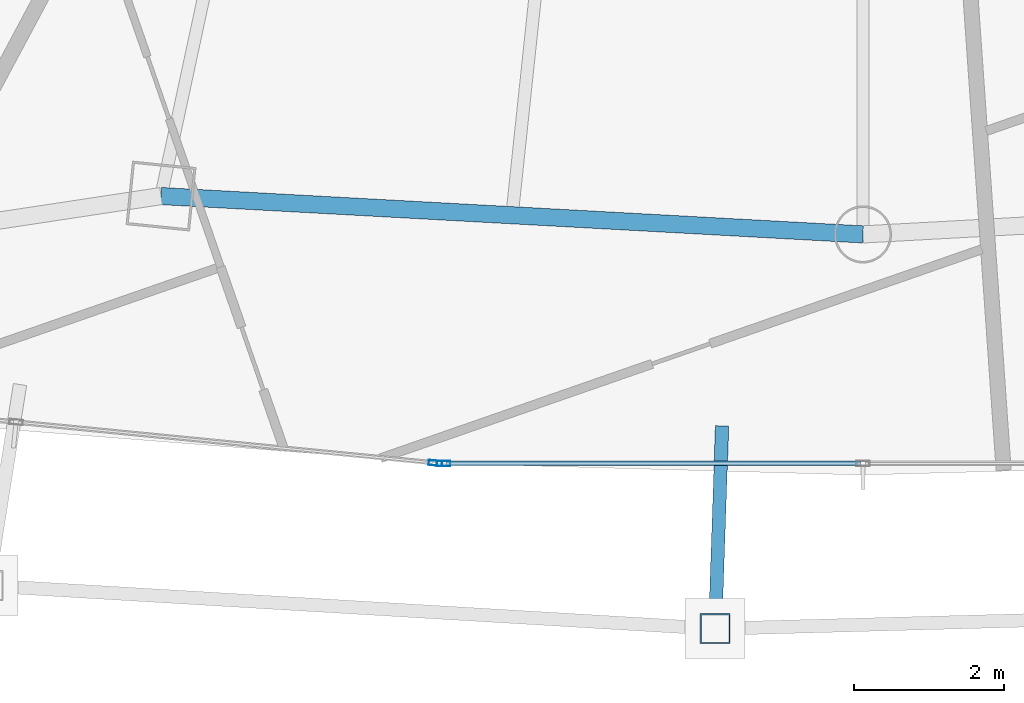
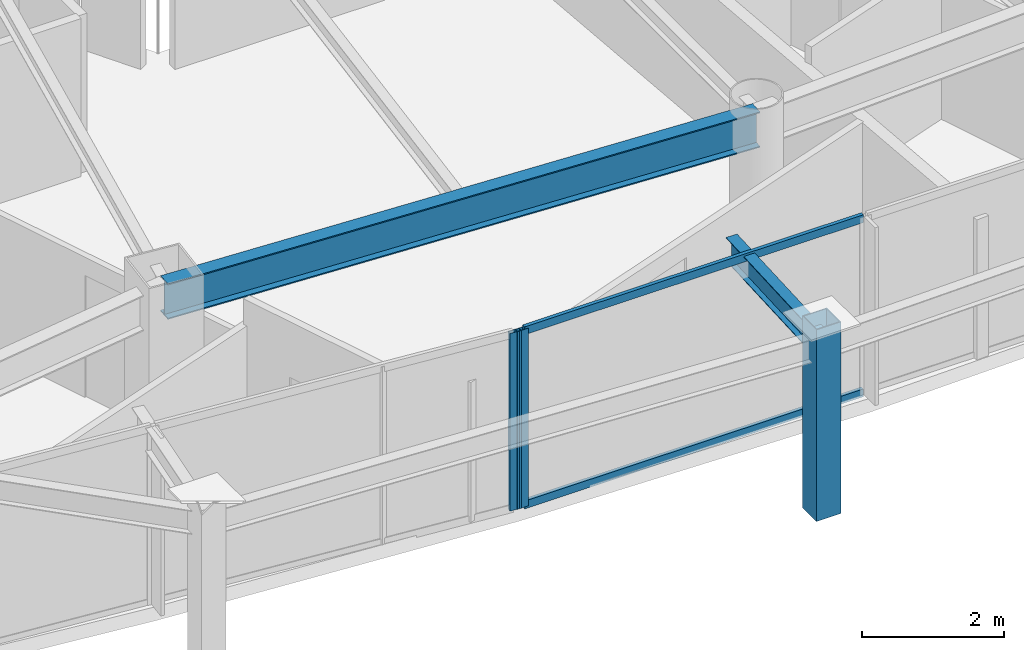
# One storey, part 7 of 29: 5 members, 2 beams, 2 elements without a shape of their own.
"""IFC4 building model written with IfcOpenShell, lengths in metres."""

from ifc_helpers import new_model, si_unit, direction, frame, origin, origin_2d, place, context, subcontext, project, spatial, hollow_rectangle, i_section, extrude, material, layer, layer_set, material_profile, profile_set, type_object, element, aggregate, save


model = new_model("IFC4")

# Units and contexts
model_context = context("Model", 3, precision=1e-05, world=origin(), true_north=direction((0.0, 1.0)))
body_context = subcontext(model_context, "Body", "Model", "MODEL_VIEW")
ifc_project = project(units=[si_unit("LENGTHUNIT", "METRE"), si_unit("AREAUNIT", "SQUARE_METRE"), si_unit("VOLUMEUNIT", "CUBIC_METRE"), si_unit("PLANEANGLEUNIT", "RADIAN"), si_unit("MASSUNIT", "GRAM", prefix="KILO")], contexts=[model_context])

# Site, building, storey
site_placement = place(None, origin())
site = spatial("IfcSite", under=ifc_project, at=site_placement, CompositionType="ELEMENT")
building_placement = place(site_placement, origin())
building = spatial("IfcBuilding", under=site, at=building_placement, Name="Orvanel Arch Residences", CompositionType="ELEMENT")
storey_placement = place(building_placement, frame((0.0, 0.0, 167.14990234375)))
storey = spatial("IfcBuildingStorey", under=building, at=storey_placement, Name="L47", CompositionType="ELEMENT", Elevation=167.14990234375)

# Curtain wall, member
ifc_material_1 = material(Name="Bronze-anodised aluminium AA6063-T6", Category="aluminium")
ifc_layer = layer(ifc_material_1, 0.179931640625)
ifc_layer_set = layer_set([ifc_layer], Name="Bronze-anodised aluminium AA6063-T6")
curtain_wall_type = type_object("IfcCurtainWallType", Name="CW3-MID-SYS", PredefinedType="NOTDEFINED", material=ifc_layer_set)
curtain_wall_1_placement = place(storey_placement, origin())
curtain_wall_1 = element("IfcCurtainWall", 1, at=curtain_wall_1_placement, inside=storey, type_object=curtain_wall_type, Name="L47 CW3-MID-SYS Unitised Curtain Wall", PredefinedType="NOTDEFINED")
ifc_material_profile_1 = material_profile(ifc_material_1, hollow_rectangle(XDim=0.070068359375, YDim=0.179931640625, WallThickness=0.00439453125, at=origin_2d()), Name="ALU180x70x4.5")
ifc_profile_set_1 = profile_set([ifc_material_profile_1], Name="Bronze-anodised aluminium AA6063-T6")
member_type_1 = type_object("IfcMemberType", Name="MUL-180x70", PredefinedType="MULLION", material=ifc_profile_set_1)
member_1_placement = place(storey_placement, frame((27.30419921875, 3.79833984375, 0.0), z_axis=(0.0, 0.0, 1.0), x_axis=(0.097286031613, 0.995256463457, 0.0)))
member_1 = element("IfcMember", 2, at=member_1_placement, type_object=member_type_1, Name="CW-S3 mullion 3", PredefinedType="MULLION", context=body_context, shape_type="SweptSolid", body=[
    extrude(hollow_rectangle(XDim=0.070068359375, YDim=0.179931640625, WallThickness=0.00439453125, at=origin_2d()), origin(), (0.0, 0.0, 1.0), 3.06005859375),
])
aggregate(curtain_wall_1, [member_1])

curtain_wall_2_placement = place(storey_placement, origin())
curtain_wall_2 = element("IfcCurtainWall", 3, at=curtain_wall_2_placement, inside=storey, type_object=curtain_wall_type, Name="L47 CW3-MID-SYS Unitised Curtain Wall", PredefinedType="NOTDEFINED")
member_2_placement = place(storey_placement, frame((27.4140625, 3.79296875, 0.0), z_axis=(0.0, 0.0, 1.0), x_axis=(0.0, 1.0, 0.0)))
member_2 = element("IfcMember", 4, at=member_2_placement, type_object=member_type_1, Name="CW-S3 mullion 1", PredefinedType="MULLION", context=body_context, shape_type="SweptSolid", body=[
    extrude(hollow_rectangle(XDim=0.070068359375, YDim=0.179931640625, WallThickness=0.00439453125, at=origin_2d()), origin(), (0.0, 0.0, 1.0), 3.06005859375),
])

# Beams
ifc_material_2 = material(Name="Structural steel AS/NZS 3679.1 Grade 300 (300 MPa)", Category="steel")
ifc_material_profile_2 = material_profile(ifc_material_2, i_section(OverallWidth=0.177978515625, OverallDepth=0.406005859375, WebThickness=0.0078125, FlangeThickness=0.0126953125, at=origin_2d()), Name="410UB59.7")
ifc_profile_set_2 = profile_set([ifc_material_profile_2], Name="Structural steel AS/NZS 3679.1 Grade 300 (300 MPa)")
beam_type_1 = type_object("IfcBeamType", Name="OB-410UB-EXT", PredefinedType="SPANDREL", material=ifc_profile_set_2)
beam_1_placement = place(storey_placement, frame((31.123046875, 4.29296875, 2.857177734375), z_axis=(-0.034045490843, -0.999420284241, 0.0), x_axis=(0.999420284241, -0.034045490843, 0.0)))
element("IfcBeam", 5, at=beam_1_placement, inside=storey, type_object=beam_type_1, Name="L47 Outer Frame Radial Tie Beam 06", PredefinedType="SPANDREL", context=body_context, shape_type="SweptSolid", body=[
    extrude(i_section(OverallWidth=0.177978515625, OverallDepth=0.406005859375, WebThickness=0.0078125, FlangeThickness=0.0126953125, at=origin_2d()), origin(), (0.0, 0.0, 1.0), 2.703369140625),
])
ifc_material_profile_3 = material_profile(ifc_material_2, i_section(OverallWidth=0.22900390625, OverallDepth=0.612060546875, WebThickness=0.011962890625, FlangeThickness=0.01953125, at=origin_2d()), Name="610UB125")
ifc_profile_set_3 = profile_set([ifc_material_profile_3], Name="Structural steel AS/NZS 3679.1 Grade 300 (300 MPa)")
beam_type_2 = type_object("IfcBeamType", Name="SP-610UB", PredefinedType="SPANDREL", material=ifc_profile_set_3)
beam_2_placement = place(storey_placement, frame((23.64892578125, 7.35498046875, 2.754150390625), z_axis=(0.998510315598, -0.054563262768, 0.0), x_axis=(0.054563262768, 0.998510315598, 0.0)))
element("IfcBeam", 6, at=beam_2_placement, inside=storey, type_object=beam_type_2, Name="L47 Perimeter Spandrel Beam 05", PredefinedType="SPANDREL", context=body_context, shape_type="SweptSolid", body=[
    extrude(i_section(OverallWidth=0.22900390625, OverallDepth=0.612060546875, WebThickness=0.011962890625, FlangeThickness=0.01953125, at=origin_2d()), origin(), (0.0, 0.0, 1.0), 9.364990234375),
])

# Member
ifc_material_3 = material(Name="Structural steel AS/NZS 1163 C450L0 (Grade 450)", Category="steel")
ifc_material_profile_4 = material_profile(ifc_material_3, hollow_rectangle(XDim=0.39990234375, YDim=0.39990234375, WallThickness=0.01611328125, at=origin_2d()), Name="SHS400x400x16")
ifc_profile_set_4 = profile_set([ifc_material_profile_4], Name="Structural steel AS/NZS 1163 C450L0 (Grade 450)")
member_type_2 = type_object("IfcMemberType", Name="ST-400SHS-EXT", PredefinedType="STRUT", material=ifc_profile_set_4)
member_3_placement = place(storey_placement, frame((31.031005859375, 1.591064453125, 0.0), z_axis=(0.0, 0.0, 1.0), x_axis=(1.0, 0.0, 0.0)))
element("IfcMember", 7, at=member_3_placement, inside=storey, type_object=member_type_2, Name="L47 Outer Perimeter Frame Post 06", PredefinedType="STRUT", context=body_context, shape_type="SweptSolid", body=[
    extrude(hollow_rectangle(XDim=0.39990234375, YDim=0.39990234375, WallThickness=0.01611328125, at=origin_2d()), origin(), (0.0, 0.0, 1.0), 3.300048828125),
])

ifc_material_profile_5 = material_profile(ifc_material_1, hollow_rectangle(XDim=0.06005859375, YDim=0.135009765625, WallThickness=0.00390625, at=origin_2d()), Name="ALU135x60x4")
ifc_profile_set_5 = profile_set([ifc_material_profile_5], Name="Bronze-anodised aluminium AA6063-T6")
member_type_3 = type_object("IfcMemberType", Name="TRN-135x60", PredefinedType="USERDEFINED", material=ifc_profile_set_5)
member_4_placement = place(storey_placement, frame((27.448974609375, 3.79296875, 0.030029296875), z_axis=(1.0, 0.0, 0.0), x_axis=(0.0, 1.0, 0.0)))
member_4 = element("IfcMember", 8, at=member_4_placement, type_object=member_type_3, Name="CW-S3 transom 1.1", ObjectType="TRANSOM", PredefinedType="USERDEFINED", context=body_context, shape_type="SweptSolid", body=[
    extrude(hollow_rectangle(XDim=0.06005859375, YDim=0.135009765625, WallThickness=0.00390625, at=origin_2d()), origin(), (0.0, 0.0, 1.0), 5.51611328125),
])

member_5_placement = place(storey_placement, frame((27.448974609375, 3.79296875, 3.030029296875), z_axis=(1.0, 0.0, 0.0), x_axis=(0.0, 1.0, 0.0)))
member_5 = element("IfcMember", 9, at=member_5_placement, type_object=member_type_3, Name="CW-S3 transom 1.2", ObjectType="TRANSOM", PredefinedType="USERDEFINED", context=body_context, shape_type="SweptSolid", body=[
    extrude(hollow_rectangle(XDim=0.06005859375, YDim=0.135009765625, WallThickness=0.00390625, at=origin_2d()), origin(), (0.0, 0.0, 1.0), 5.51611328125),
])

aggregate(curtain_wall_2, [member_2, member_4, member_5])

save(model, "model.ifc")
